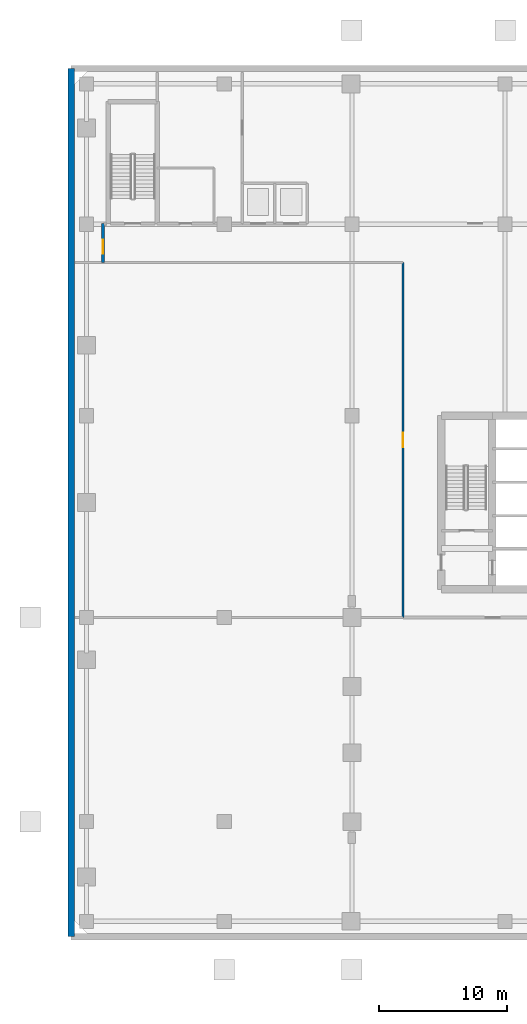
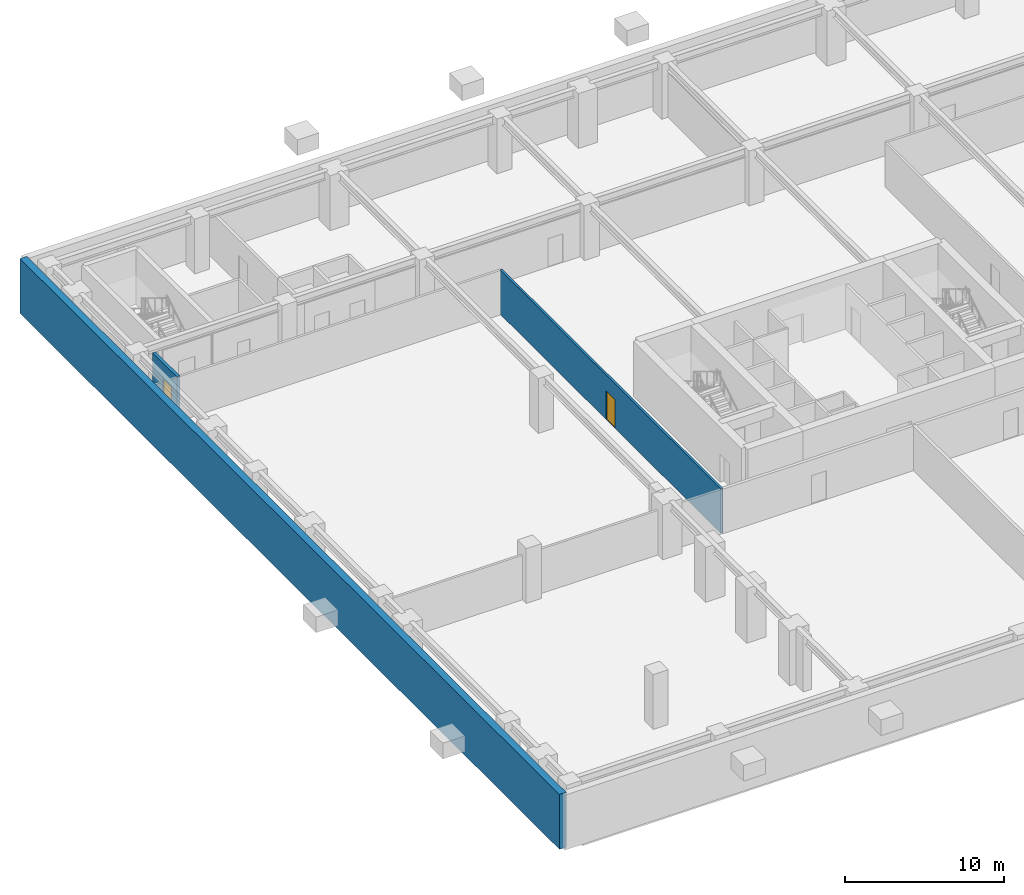
# One storey, part 4 of 11: 3 walls, 2 doors, 2 openings.
"""IFC4 building model written with IfcOpenShell, lengths in metres."""

from ifc_helpers import new_model, si_unit, direction, frame, frame_2d, origin, place, context, subcontext, project, spatial, rectangle, extrude, material, layer, layer_set, type_object, element, fill, save


model = new_model("IFC4")

# Units and contexts
model_context = context("Model", 3, precision=1e-05, world=origin(), true_north=direction((0.0, 1.0)))
body_context = subcontext(model_context, "Body", "Model", "MODEL_VIEW")
ifc_project = project(units=[si_unit("LENGTHUNIT", "METRE"), si_unit("AREAUNIT", "SQUARE_METRE"), si_unit("VOLUMEUNIT", "CUBIC_METRE"), si_unit("PLANEANGLEUNIT", "RADIAN"), si_unit("MASSUNIT", "GRAM", prefix="KILO")], contexts=[model_context])

# Site, building, storey
site_placement = place(None, origin())
site = spatial("IfcSite", under=ifc_project, at=site_placement, CompositionType="ELEMENT")
building_placement = place(site_placement, origin())
building = spatial("IfcBuilding", under=site, at=building_placement, Name="Sarneth Arch Tower", CompositionType="ELEMENT")
storey_placement = place(building_placement, frame((0.0, 0.0, -4.5)))
storey = spatial("IfcBuildingStorey", under=building, at=storey_placement, Name="B01", CompositionType="ELEMENT", Elevation=-4.5)

# Wall, opening, door
ifc_material_1 = material(Name="Aerated concrete blockwork C25/30", Category="masonry")
ifc_layer_1 = layer(ifc_material_1, 0.219970703125)
ifc_layer_set_1 = layer_set([ifc_layer_1], Name="Aerated concrete blockwork C25/30")
wall_type_1 = type_object("IfcWallType", Name="WALL-FIRE-220", PredefinedType="SOLIDWALL", material=ifc_layer_set_1)
wall_1_placement = place(storey_placement, frame((10.5, 60.800048828125, 0.0), z_axis=(0.0, 0.0, 1.0), x_axis=(0.0, 1.0, 0.0)))
wall_1 = element("IfcWall", 1, at=wall_1_placement, inside=storey, type_object=wall_type_1, Name="B01 Interior partition W-B01-TP-011", PredefinedType="SOLIDWALL", context=body_context, shape_type="SweptSolid", body=[
    extrude(rectangle(XDim=3.050048828125, YDim=0.219970703125, at=frame_2d((1.52490234375, 0.0))), origin(), (0.0, 0.0, 1.0), 3.419921875),
])
opening_1_placement = place(wall_1_placement, frame((0.675048828125, 0.0, 0.0)))
opening_1 = element("IfcOpeningElement", 2, at=opening_1_placement, cuts=wall_1, Name="Opening FD-07", PredefinedType="OPENING", context=body_context, shape_type="SweptSolid", body=[
    extrude(rectangle(XDim=1.10009765625, YDim=2.199951171875, at=frame_2d((0.550048828125, 1.10009765625))), frame((0.0, 0.119873046875, 0.0), z_axis=(0.0, -1.0, 0.0), x_axis=(1.0, 0.0, 0.0)), (0.0, 0.0, 1.0), 0.239990234375),
])
ifc_material_2 = material(Name="Hardwood timber acoustic fire door", Category="wood")
door_type = type_object("IfcDoorType", Name="DR-FD60-1100", OperationType="SINGLE_SWING_RIGHT", PredefinedType="DOOR", material=ifc_material_2)
door_1_placement = place(opening_1_placement, origin())
door_1 = element("IfcDoor", 3, at=door_1_placement, inside=storey, type_object=door_type, Name="B01 Interior door DR-B01-WPLANT", OperationType="SINGLE_SWING_LEFT", OverallHeight=2.199951171875, OverallWidth=1.10009765625, PredefinedType="DOOR", context=body_context, shape_type="SweptSolid", body=[
    extrude(rectangle(XDim=1.10009765625, YDim=2.199951171875, at=frame_2d((0.550048828125, 1.10009765625))), frame((0.0, 0.02490234375, 0.0), z_axis=(0.0, -1.0, 0.0), x_axis=(1.0, 0.0, 0.0)), (0.0, 0.0, 1.0), 0.050048828125),
])
fill(opening_1, door_1)

ifc_material_3 = material(Name="Kitchen wet service chase wall", Category="gypsum")
ifc_layer_2 = layer(ifc_material_3, 0.159912109375)
ifc_layer_set_2 = layer_set([ifc_layer_2], Name="Kitchen wet service chase wall")
wall_type_2 = type_object("IfcWallType", Name="WALL-PLUMB-160", PredefinedType="PLUMBINGWALL", material=ifc_layer_set_2)
wall_2_placement = place(storey_placement, frame((34.0, 33.0, 0.0), z_axis=(0.0, 0.0, 1.0), x_axis=(0.0, 1.0, 0.0)))
wall_2 = element("IfcWall", 4, at=wall_2_placement, inside=storey, type_object=wall_type_2, Name="B01 Interior partition W-B01-TP-001", PredefinedType="PLUMBINGWALL", context=body_context, shape_type="SweptSolid", body=[
    extrude(rectangle(XDim=27.800048828125, YDim=0.159912109375, at=frame_2d((13.89990234375, 0.0))), origin(), (0.0, 0.0, 1.0), 3.419921875),
])
opening_2_placement = place(wall_2_placement, frame((13.35009765625, 0.0, 0.0)))
opening_2 = element("IfcOpeningElement", 5, at=opening_2_placement, cuts=wall_2, Name="Opening FD-07", PredefinedType="OPENING", context=body_context, shape_type="SweptSolid", body=[
    extrude(rectangle(XDim=1.10009765625, YDim=2.199951171875, at=frame_2d((0.550048828125, 1.10009765625))), frame((0.0, 0.08984375, 0.0), z_axis=(0.0, -1.0, 0.0), x_axis=(1.0, 0.0, 0.0)), (0.0, 0.0, 1.0), 0.179931640625),
])
door_2_placement = place(opening_2_placement, origin())
door_2 = element("IfcDoor", 6, at=door_2_placement, inside=storey, type_object=door_type, Name="B01 Interior door DR-B01-LAUN", OperationType="SINGLE_SWING_LEFT", OverallHeight=2.199951171875, OverallWidth=1.10009765625, PredefinedType="DOOR", context=body_context, shape_type="SweptSolid", body=[
    extrude(rectangle(XDim=1.10009765625, YDim=2.199951171875, at=frame_2d((0.550048828125, 1.10009765625))), frame((0.0, 0.02490234375, 0.0), z_axis=(0.0, -1.0, 0.0), x_axis=(1.0, 0.0, 0.0)), (0.0, 0.0, 1.0), 0.050048828125),
])
fill(opening_2, door_2)

# Wall
ifc_material_4 = material(Name="Concrete C50/60", Category="concrete")
ifc_layer_3 = layer(ifc_material_4, 0.5)
ifc_layer_set_3 = layer_set([ifc_layer_3], Name="Concrete C50/60")
wall_type_3 = type_object("IfcWallType", Name="WALL-RET-500", PredefinedType="SOLIDWALL", material=ifc_layer_set_3)
wall_3_placement = place(storey_placement, frame((8.0, 76.0, 0.0), z_axis=(0.0, 0.0, 1.0), x_axis=(0.0, -1.0, 0.0)))
element("IfcWall", 7, at=wall_3_placement, inside=storey, type_object=wall_type_3, Name="B01 Basement retaining wall W", PredefinedType="SOLIDWALL", context=body_context, shape_type="SweptSolid", body=[
    extrude(rectangle(XDim=68.0, YDim=0.5, at=frame_2d((34.0, 0.0))), origin(), (0.0, 0.0, 1.0), 4.219970703125),
])

save(model, "model.ifc")
